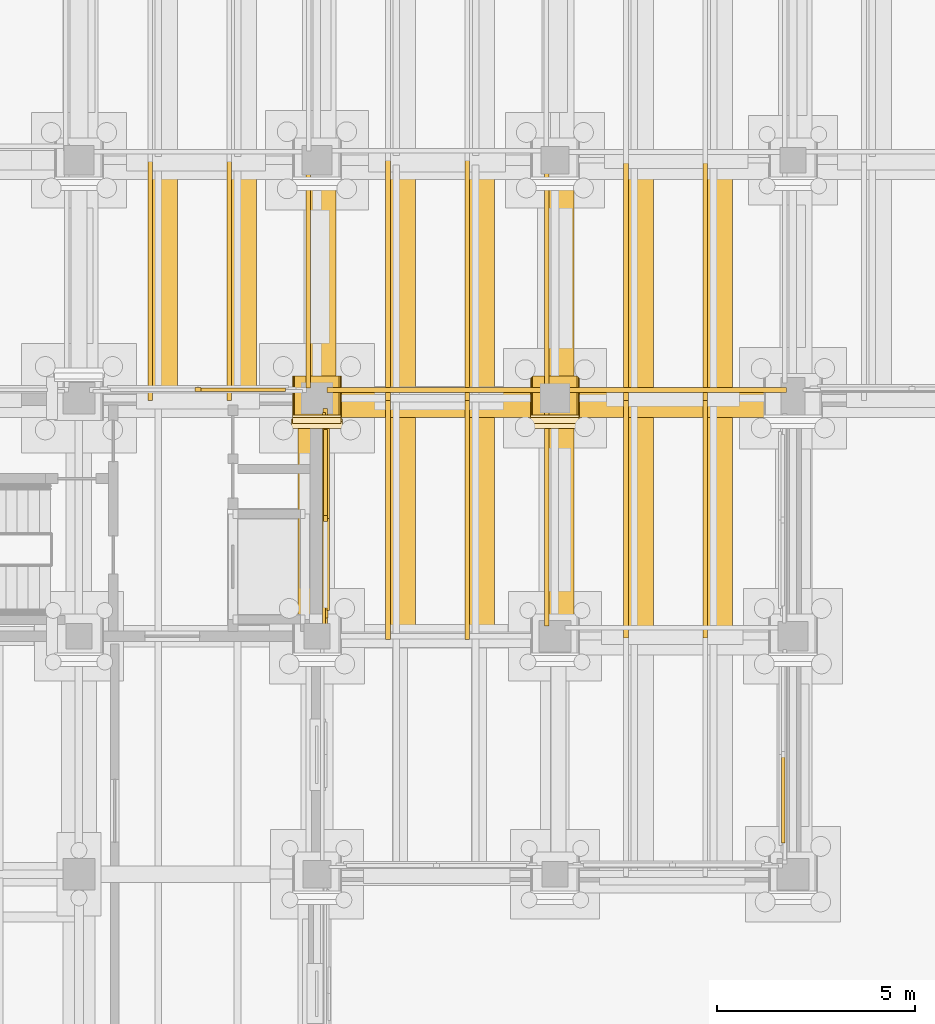
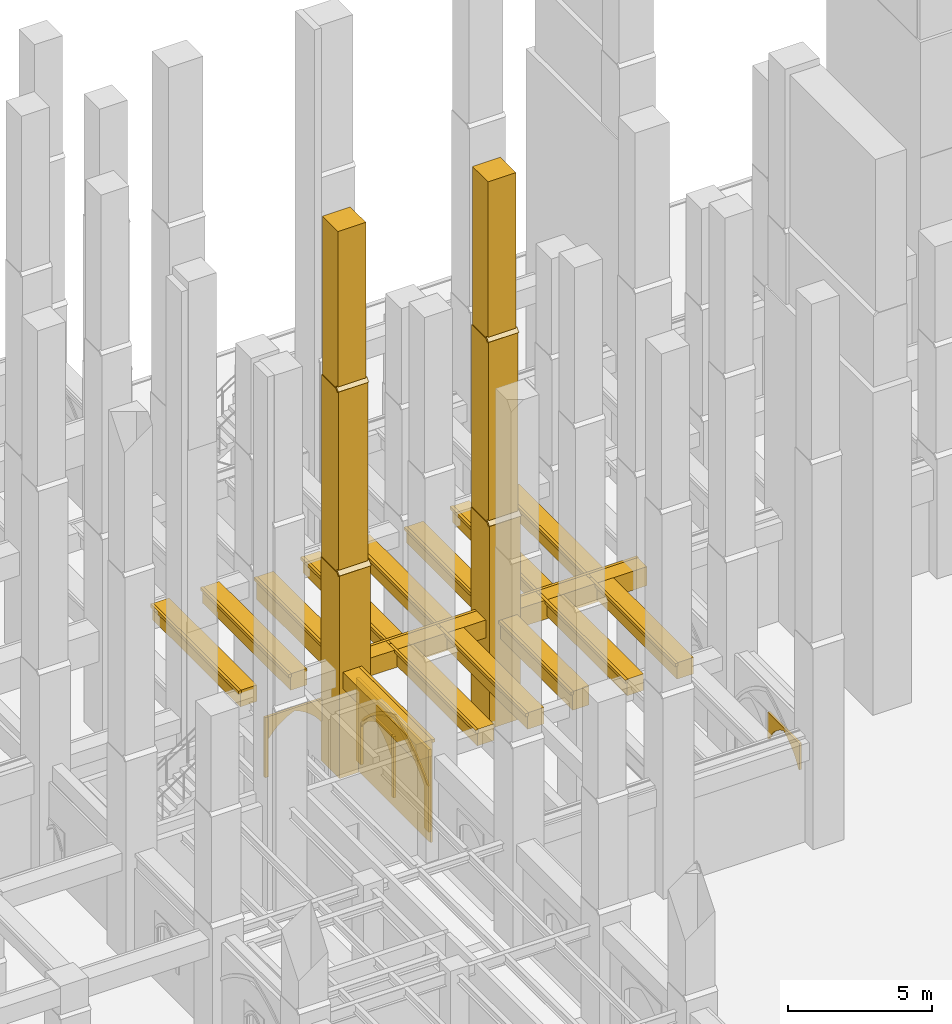
# One storey, part 109 of 135: 50 coverings.
"""IFC4 building model written with IfcOpenShell, lengths in metres."""

from ifc_helpers import new_model, si_unit, direction, frame, origin, origin_2d, place, context, subcontext, project, spatial, polyline, rectangle, outline, extrude, material, type_object, element, save


model = new_model("IFC4")

# Units and contexts
model_context = context("Model", 3, precision=1e-05, world=origin(), true_north=direction((0.0, 1.0)))
body_context = subcontext(model_context, "Body", "Model", "MODEL_VIEW")
ifc_project = project(units=[si_unit("LENGTHUNIT", "METRE"), si_unit("AREAUNIT", "SQUARE_METRE"), si_unit("VOLUMEUNIT", "CUBIC_METRE"), si_unit("PLANEANGLEUNIT", "RADIAN"), si_unit("MASSUNIT", "GRAM", prefix="KILO")], contexts=[model_context])

# Site, building, storey
site_placement = place(None, origin())
site = spatial("IfcSite", under=ifc_project, at=site_placement, CompositionType="ELEMENT")
building_placement = place(site_placement, origin())
building = spatial("IfcBuilding", under=site, at=building_placement, Name="Cumevento Cable Car Station", CompositionType="ELEMENT")
storey_placement = place(building_placement, origin())
storey = spatial("IfcBuildingStorey", under=building, at=storey_placement, Name="L01", CompositionType="ELEMENT", Elevation=0.0)

# Coverings
ifc_material = material(Name="Gnaisse Facoidal Stone Ashlar 85 MPa", Category="masonry")
covering_type = type_object("IfcCoveringType", Name="Gnaisse Ashlar Cladding CV-CL01", PredefinedType="CLADDING", material=ifc_material)
covering_1_placement = place(storey_placement, frame((70.0, 44.909912109375, -0.06005859375), z_axis=(0.0, 0.0, 1.0), x_axis=(1.0, 0.0, 0.0)))
element("IfcCovering", 1, at=covering_1_placement, inside=storey, type_object=covering_type, Name="Stepped Gothic Stone Buttress Tier 1 bt:70.0:45.0", PredefinedType="CLADDING", context=body_context, shape_type="SweptSolid", body=[
    extrude(rectangle(XDim=1.239990234375, YDim=1.300048828125, at=origin_2d()), origin(), (0.0, 0.0, 1.0), 8.595703125),
])
covering_2_placement = place(storey_placement, frame((69.360107421875, 44.239990234375, 8.515625), z_axis=(0.0, -0.711135781079, 0.703054692658), x_axis=(1.0, 0.0, 0.0)))
element("IfcCovering", 2, at=covering_2_placement, inside=storey, type_object=covering_type, Name="Gothic Buttress Sloped Stone Weathering 1 bt:70.0:45.0", PredefinedType="CLADDING", context=body_context, shape_type="SweptSolid", body=[
    extrude(outline(polyline([(0.0, 0.0), (1.27978515625, 0.0), (1.27978515625, 0.24169083397703695), (0.0, 0.24169083397703695), (0.0, 0.0)])), origin(), (0.0, 0.0, -1.0), 0.090087890625),
])
covering_3_placement = place(storey_placement, frame((70.0, 44.969970703125, 8.0830078125), z_axis=(0.0, 0.0, 1.0), x_axis=(1.0, 0.0, 0.0)))
element("IfcCovering", 3, at=covering_3_placement, inside=storey, type_object=covering_type, Name="Stepped Gothic Stone Buttress Tier 2 bt:70.0:45.0", PredefinedType="CLADDING", context=body_context, shape_type="SweptSolid", body=[
    extrude(rectangle(XDim=1.179931640625, YDim=1.179931640625, at=origin_2d()), origin(), (0.0, 0.0, 1.0), 8.143310546875),
])
covering_4_placement = place(storey_placement, frame((69.389892578125, 44.360107421875, 16.206298828125), z_axis=(0.0, -0.714474823669, 0.699661151089), x_axis=(1.0, 0.0, 0.0)))
element("IfcCovering", 4, at=covering_4_placement, inside=storey, type_object=covering_type, Name="Gothic Buttress Sloped Stone Weathering 2 bt:70.0:45.0", PredefinedType="CLADDING", context=body_context, shape_type="SweptSolid", body=[
    extrude(outline(polyline([(0.0, 0.0), (1.22021484375, 0.0), (1.22021484375, 0.21424991728737655), (0.0, 0.21424991728737655), (0.0, 0.0)])), origin(), (0.0, 0.0, -1.0), 0.090087890625),
])
covering_5_placement = place(storey_placement, frame((70.0, 45.02001953125, 15.77392578125), z_axis=(0.0, 0.0, 1.0), x_axis=(1.0, 0.0, 0.0)))
element("IfcCovering", 5, at=covering_5_placement, inside=storey, type_object=covering_type, Name="Stepped Gothic Stone Buttress Tier 3 bt:70.0:45.0", PredefinedType="CLADDING", context=body_context, shape_type="SweptSolid", body=[
    extrude(rectangle(XDim=1.1201171875, YDim=1.080078125, at=origin_2d()), origin(), (0.0, 0.0, 1.0), 7.1259765625),
])
covering_6_placement = place(storey_placement, frame((76.0, 44.909912109375, -0.06005859375), z_axis=(0.0, 0.0, 1.0), x_axis=(1.0, 0.0, 0.0)))
element("IfcCovering", 6, at=covering_6_placement, inside=storey, type_object=covering_type, Name="Stepped Gothic Stone Buttress Tier 1 bt:76.0:45.0", PredefinedType="CLADDING", context=body_context, shape_type="SweptSolid", body=[
    extrude(rectangle(XDim=1.239990234375, YDim=1.300048828125, at=origin_2d()), origin(), (0.0, 0.0, 1.0), 8.595703125),
])
covering_7_placement = place(storey_placement, frame((75.360107421875, 44.239990234375, 8.515625), z_axis=(0.0, -0.711135781079, 0.703054692658), x_axis=(1.0, 0.0, 0.0)))
element("IfcCovering", 7, at=covering_7_placement, inside=storey, type_object=covering_type, Name="Gothic Buttress Sloped Stone Weathering 1 bt:76.0:45.0", PredefinedType="CLADDING", context=body_context, shape_type="SweptSolid", body=[
    extrude(outline(polyline([(0.0, 0.0), (1.27978515625, 0.0), (1.27978515625, 0.24169083397703695), (0.0, 0.24169083397703695), (0.0, 0.0)])), origin(), (0.0, 0.0, -1.0), 0.090087890625),
])
covering_8_placement = place(storey_placement, frame((76.0, 44.969970703125, 8.0830078125), z_axis=(0.0, 0.0, 1.0), x_axis=(1.0, 0.0, 0.0)))
element("IfcCovering", 8, at=covering_8_placement, inside=storey, type_object=covering_type, Name="Stepped Gothic Stone Buttress Tier 2 bt:76.0:45.0", PredefinedType="CLADDING", context=body_context, shape_type="SweptSolid", body=[
    extrude(rectangle(XDim=1.179931640625, YDim=1.179931640625, at=origin_2d()), origin(), (0.0, 0.0, 1.0), 8.143310546875),
])
covering_9_placement = place(storey_placement, frame((75.389892578125, 44.360107421875, 16.206298828125), z_axis=(0.0, -0.714474823669, 0.699661151089), x_axis=(1.0, 0.0, 0.0)))
element("IfcCovering", 9, at=covering_9_placement, inside=storey, type_object=covering_type, Name="Gothic Buttress Sloped Stone Weathering 2 bt:76.0:45.0", PredefinedType="CLADDING", context=body_context, shape_type="SweptSolid", body=[
    extrude(outline(polyline([(0.0, 0.0), (1.22021484375, 0.0), (1.22021484375, 0.21424991728737655), (0.0, 0.21424991728737655), (0.0, 0.0)])), origin(), (0.0, 0.0, -1.0), 0.090087890625),
])
covering_10_placement = place(storey_placement, frame((76.0, 45.02001953125, 15.77392578125), z_axis=(0.0, 0.0, 1.0), x_axis=(1.0, 0.0, 0.0)))
element("IfcCovering", 10, at=covering_10_placement, inside=storey, type_object=covering_type, Name="Stepped Gothic Stone Buttress Tier 3 bt:76.0:45.0", PredefinedType="CLADDING", context=body_context, shape_type="SweptSolid", body=[
    extrude(rectangle(XDim=1.1201171875, YDim=1.080078125, at=origin_2d()), origin(), (0.0, 0.0, 1.0), 7.1259765625),
])
covering_11_placement = place(storey_placement, frame((69.851318359375, 41.96240234375, 3.69580078125), z_axis=(0.0, 0.0, 1.0), x_axis=(0.0, -1.0, 0.0)))
element("IfcCovering", 11, at=covering_11_placement, inside=storey, type_object=covering_type, Name="Gothic Stone Spandrel Stringcourse sc:0043", PredefinedType="CLADDING", context=body_context, shape_type="SweptSolid", body=[
    extrude(rectangle(XDim=5.514892578125, YDim=0.66259765625, at=origin_2d()), origin(), (0.0, 0.0, 1.0), 0.694091796875),
])
covering_12_placement = place(storey_placement, frame((70.2099609375, 41.96240234375, 4.260009765625), z_axis=(0.0, 0.0, 1.0), x_axis=(0.0, -1.0, 0.0)))
element("IfcCovering", 12, at=covering_12_placement, inside=storey, type_object=covering_type, Name="Gothic Cornice Dripstone Lip sc:0043", PredefinedType="CLADDING", context=body_context, shape_type="SweptSolid", body=[
    extrude(rectangle(XDim=5.554931640625, YDim=0.114990234375, at=origin_2d()), origin(), (0.0, 0.0, 1.0), 0.1298828125),
])
covering_13_placement = place(storey_placement, frame((73.012451171875, 44.85009765625, 3.636962890625), z_axis=(0.0, 0.0, 1.0), x_axis=(1.0, 0.0, 0.0)))
element("IfcCovering", 13, at=covering_13_placement, inside=storey, type_object=covering_type, Name="Gothic Stone Spandrel Stringcourse sc:0048", PredefinedType="CLADDING", context=body_context, shape_type="SweptSolid", body=[
    extrude(rectangle(XDim=5.465087890625, YDim=0.659912109375, at=origin_2d()), origin(), (0.0, 0.0, 1.0), 0.7529296875),
])
covering_14_placement = place(storey_placement, frame((73.012451171875, 45.20751953125, 4.260009765625), z_axis=(0.0, 0.0, 1.0), x_axis=(1.0, 0.0, 0.0)))
element("IfcCovering", 14, at=covering_14_placement, inside=storey, type_object=covering_type, Name="Gothic Cornice Dripstone Lip sc:0048", PredefinedType="CLADDING", context=body_context, shape_type="SweptSolid", body=[
    extrude(rectangle(XDim=5.5048828125, YDim=0.114990234375, at=origin_2d()), origin(), (0.0, 0.0, 1.0), 0.1298828125),
])
covering_15_placement = place(storey_placement, frame((79.03759765625, 44.85009765625, 3.5869140625), z_axis=(0.0, 0.0, 1.0), x_axis=(1.0, 0.0, 0.0)))
element("IfcCovering", 15, at=covering_15_placement, inside=storey, type_object=covering_type, Name="Gothic Stone Spandrel Stringcourse sc:0049", PredefinedType="CLADDING", context=body_context, shape_type="SweptSolid", body=[
    extrude(rectangle(XDim=5.56494140625, YDim=0.659912109375, at=origin_2d()), origin(), (0.0, 0.0, 1.0), 0.802978515625),
])
covering_16_placement = place(storey_placement, frame((79.03759765625, 45.20751953125, 4.260009765625), z_axis=(0.0, 0.0, 1.0), x_axis=(1.0, 0.0, 0.0)))
element("IfcCovering", 16, at=covering_16_placement, inside=storey, type_object=covering_type, Name="Gothic Cornice Dripstone Lip sc:0049", PredefinedType="CLADDING", context=body_context, shape_type="SweptSolid", body=[
    extrude(rectangle(XDim=5.60498046875, YDim=0.114990234375, at=origin_2d()), origin(), (0.0, 0.0, 1.0), 0.1298828125),
])
covering_17_placement = place(storey_placement, frame((76.14990234375, 42.012451171875, 3.5927734375), z_axis=(0.0, 0.0, 1.0), x_axis=(0.0, 1.0, 0.0)))
element("IfcCovering", 17, at=covering_17_placement, inside=storey, type_object=covering_type, Name="Gothic Stone Spandrel Stringcourse sc:0051", PredefinedType="CLADDING", context=body_context, shape_type="SweptSolid", body=[
    extrude(rectangle(XDim=5.465087890625, YDim=0.659912109375, at=origin_2d()), origin(), (0.0, 0.0, 1.0), 0.797119140625),
])
covering_18_placement = place(storey_placement, frame((75.79248046875, 42.012451171875, 4.260009765625), z_axis=(0.0, 0.0, 1.0), x_axis=(0.0, 1.0, 0.0)))
element("IfcCovering", 18, at=covering_18_placement, inside=storey, type_object=covering_type, Name="Gothic Cornice Dripstone Lip sc:0051", PredefinedType="CLADDING", context=body_context, shape_type="SweptSolid", body=[
    extrude(rectangle(XDim=5.5048828125, YDim=0.114990234375, at=origin_2d()), origin(), (0.0, 0.0, 1.0), 0.1298828125),
])
covering_19_placement = place(storey_placement, frame((70.14306640625, 48.012451171875, 3.44189453125), z_axis=(0.0, 0.0, 1.0), x_axis=(0.0, 1.0, 0.0)))
element("IfcCovering", 19, at=covering_19_placement, inside=storey, type_object=covering_type, Name="Gothic Stone Spandrel Stringcourse sc:0127", PredefinedType="CLADDING", context=body_context, shape_type="SweptSolid", body=[
    extrude(rectangle(XDim=5.465087890625, YDim=0.674072265625, at=origin_2d()), origin(), (0.0, 0.0, 1.0), 0.947998046875),
])
covering_20_placement = place(storey_placement, frame((69.778564453125, 48.012451171875, 4.260009765625), z_axis=(0.0, 0.0, 1.0), x_axis=(0.0, 1.0, 0.0)))
element("IfcCovering", 20, at=covering_20_placement, inside=storey, type_object=covering_type, Name="Gothic Cornice Dripstone Lip sc:0127", PredefinedType="CLADDING", context=body_context, shape_type="SweptSolid", body=[
    extrude(rectangle(XDim=5.5048828125, YDim=0.114990234375, at=origin_2d()), origin(), (0.0, 0.0, 1.0), 0.1298828125),
])
covering_21_placement = place(storey_placement, frame((76.148681640625, 48.012451171875, 3.69580078125), z_axis=(0.0, 0.0, 1.0), x_axis=(0.0, 1.0, 0.0)))
element("IfcCovering", 21, at=covering_21_placement, inside=storey, type_object=covering_type, Name="Gothic Stone Spandrel Stringcourse sc:0129", PredefinedType="CLADDING", context=body_context, shape_type="SweptSolid", body=[
    extrude(rectangle(XDim=5.514892578125, YDim=0.66259765625, at=origin_2d()), origin(), (0.0, 0.0, 1.0), 0.694091796875),
])
covering_22_placement = place(storey_placement, frame((75.7900390625, 48.012451171875, 4.260009765625), z_axis=(0.0, 0.0, 1.0), x_axis=(0.0, 1.0, 0.0)))
element("IfcCovering", 22, at=covering_22_placement, inside=storey, type_object=covering_type, Name="Gothic Cornice Dripstone Lip sc:0129", PredefinedType="CLADDING", context=body_context, shape_type="SweptSolid", body=[
    extrude(rectangle(XDim=5.554931640625, YDim=0.114990234375, at=origin_2d()), origin(), (0.0, 0.0, 1.0), 0.1298828125),
])
covering_23_placement = place(storey_placement, frame((72.14990234375, 41.991943359375, 3.69482421875), z_axis=(0.0, 0.0, 1.0), x_axis=(0.0, 1.0, 0.0)))
element("IfcCovering", 23, at=covering_23_placement, inside=storey, type_object=covering_type, Name="Gothic Stone Spandrel Stringcourse sc:0243", PredefinedType="CLADDING", context=body_context, shape_type="SweptSolid", body=[
    extrude(rectangle(XDim=6.10009765625, YDim=0.659912109375, at=origin_2d()), origin(), (0.0, 0.0, 1.0), 0.695068359375),
])
covering_24_placement = place(storey_placement, frame((71.79248046875, 41.991943359375, 4.260009765625), z_axis=(0.0, 0.0, 1.0), x_axis=(0.0, 1.0, 0.0)))
element("IfcCovering", 24, at=covering_24_placement, inside=storey, type_object=covering_type, Name="Gothic Cornice Dripstone Lip sc:0243", PredefinedType="CLADDING", context=body_context, shape_type="SweptSolid", body=[
    extrude(rectangle(XDim=6.139892578125, YDim=0.114990234375, at=origin_2d()), origin(), (0.0, 0.0, 1.0), 0.1298828125),
])
covering_25_placement = place(storey_placement, frame((74.14990234375, 41.991943359375, 3.69482421875), z_axis=(0.0, 0.0, 1.0), x_axis=(0.0, 1.0, 0.0)))
element("IfcCovering", 25, at=covering_25_placement, inside=storey, type_object=covering_type, Name="Gothic Stone Spandrel Stringcourse sc:0245", PredefinedType="CLADDING", context=body_context, shape_type="SweptSolid", body=[
    extrude(rectangle(XDim=6.10009765625, YDim=0.659912109375, at=origin_2d()), origin(), (0.0, 0.0, 1.0), 0.695068359375),
])
covering_26_placement = place(storey_placement, frame((73.79248046875, 41.991943359375, 4.260009765625), z_axis=(0.0, 0.0, 1.0), x_axis=(0.0, 1.0, 0.0)))
element("IfcCovering", 26, at=covering_26_placement, inside=storey, type_object=covering_type, Name="Gothic Cornice Dripstone Lip sc:0245", PredefinedType="CLADDING", context=body_context, shape_type="SweptSolid", body=[
    extrude(rectangle(XDim=6.139892578125, YDim=0.114990234375, at=origin_2d()), origin(), (0.0, 0.0, 1.0), 0.1298828125),
])
covering_27_placement = place(storey_placement, frame((78.14990234375, 42.002685546875, 3.69482421875), z_axis=(0.0, 0.0, 1.0), x_axis=(0.0, 1.0, 0.0)))
element("IfcCovering", 27, at=covering_27_placement, inside=storey, type_object=covering_type, Name="Gothic Stone Spandrel Stringcourse sc:0247", PredefinedType="CLADDING", context=body_context, shape_type="SweptSolid", body=[
    extrude(rectangle(XDim=6.06640625, YDim=0.659912109375, at=origin_2d()), origin(), (0.0, 0.0, 1.0), 0.695068359375),
])
covering_28_placement = place(storey_placement, frame((77.79248046875, 42.002685546875, 4.260009765625), z_axis=(0.0, 0.0, 1.0), x_axis=(0.0, 1.0, 0.0)))
element("IfcCovering", 28, at=covering_28_placement, inside=storey, type_object=covering_type, Name="Gothic Cornice Dripstone Lip sc:0247", PredefinedType="CLADDING", context=body_context, shape_type="SweptSolid", body=[
    extrude(rectangle(XDim=6.1064453125, YDim=0.114990234375, at=origin_2d()), origin(), (0.0, 0.0, 1.0), 0.1298828125),
])
covering_29_placement = place(storey_placement, frame((80.14990234375, 42.002685546875, 3.69482421875), z_axis=(0.0, 0.0, 1.0), x_axis=(0.0, 1.0, 0.0)))
element("IfcCovering", 29, at=covering_29_placement, inside=storey, type_object=covering_type, Name="Gothic Stone Spandrel Stringcourse sc:0249", PredefinedType="CLADDING", context=body_context, shape_type="SweptSolid", body=[
    extrude(rectangle(XDim=6.06640625, YDim=0.659912109375, at=origin_2d()), origin(), (0.0, 0.0, 1.0), 0.695068359375),
])
covering_30_placement = place(storey_placement, frame((79.79248046875, 42.002685546875, 4.260009765625), z_axis=(0.0, 0.0, 1.0), x_axis=(0.0, 1.0, 0.0)))
element("IfcCovering", 30, at=covering_30_placement, inside=storey, type_object=covering_type, Name="Gothic Cornice Dripstone Lip sc:0249", PredefinedType="CLADDING", context=body_context, shape_type="SweptSolid", body=[
    extrude(rectangle(XDim=6.1064453125, YDim=0.114990234375, at=origin_2d()), origin(), (0.0, 0.0, 1.0), 0.1298828125),
])
covering_31_placement = place(storey_placement, frame((66.14990234375, 47.99365234375, 3.794921875), z_axis=(0.0, 0.0, 1.0), x_axis=(0.0, 1.0, 0.0)))
element("IfcCovering", 31, at=covering_31_placement, inside=storey, type_object=covering_type, Name="Gothic Stone Spandrel Stringcourse sc:0258", PredefinedType="CLADDING", context=body_context, shape_type="SweptSolid", body=[
    extrude(rectangle(XDim=6.071533203125, YDim=0.659912109375, at=origin_2d()), origin(), (0.0, 0.0, 1.0), 0.695068359375),
])
covering_32_placement = place(storey_placement, frame((65.79248046875, 47.99365234375, 4.360107421875), z_axis=(0.0, 0.0, 1.0), x_axis=(0.0, 1.0, 0.0)))
element("IfcCovering", 32, at=covering_32_placement, inside=storey, type_object=covering_type, Name="Gothic Cornice Dripstone Lip sc:0258", PredefinedType="CLADDING", context=body_context, shape_type="SweptSolid", body=[
    extrude(rectangle(XDim=6.111572265625, YDim=0.114990234375, at=origin_2d()), origin(), (0.0, 0.0, 1.0), 0.1298828125),
])
covering_33_placement = place(storey_placement, frame((68.14990234375, 47.99365234375, 3.794921875), z_axis=(0.0, 0.0, 1.0), x_axis=(0.0, 1.0, 0.0)))
element("IfcCovering", 33, at=covering_33_placement, inside=storey, type_object=covering_type, Name="Gothic Stone Spandrel Stringcourse sc:0260", PredefinedType="CLADDING", context=body_context, shape_type="SweptSolid", body=[
    extrude(rectangle(XDim=6.071533203125, YDim=0.659912109375, at=origin_2d()), origin(), (0.0, 0.0, 1.0), 0.695068359375),
])
covering_34_placement = place(storey_placement, frame((67.79248046875, 47.99365234375, 4.360107421875), z_axis=(0.0, 0.0, 1.0), x_axis=(0.0, 1.0, 0.0)))
element("IfcCovering", 34, at=covering_34_placement, inside=storey, type_object=covering_type, Name="Gothic Cornice Dripstone Lip sc:0260", PredefinedType="CLADDING", context=body_context, shape_type="SweptSolid", body=[
    extrude(rectangle(XDim=6.111572265625, YDim=0.114990234375, at=origin_2d()), origin(), (0.0, 0.0, 1.0), 0.1298828125),
])
covering_35_placement = place(storey_placement, frame((72.14990234375, 47.9814453125, 3.69482421875), z_axis=(0.0, 0.0, 1.0), x_axis=(0.0, 1.0, 0.0)))
element("IfcCovering", 35, at=covering_35_placement, inside=storey, type_object=covering_type, Name="Gothic Stone Spandrel Stringcourse sc:0262", PredefinedType="CLADDING", context=body_context, shape_type="SweptSolid", body=[
    extrude(rectangle(XDim=6.047119140625, YDim=0.659912109375, at=origin_2d()), origin(), (0.0, 0.0, 1.0), 0.695068359375),
])
covering_36_placement = place(storey_placement, frame((71.79248046875, 47.9814453125, 4.260009765625), z_axis=(0.0, 0.0, 1.0), x_axis=(0.0, 1.0, 0.0)))
element("IfcCovering", 36, at=covering_36_placement, inside=storey, type_object=covering_type, Name="Gothic Cornice Dripstone Lip sc:0262", PredefinedType="CLADDING", context=body_context, shape_type="SweptSolid", body=[
    extrude(rectangle(XDim=6.0869140625, YDim=0.114990234375, at=origin_2d()), origin(), (0.0, 0.0, 1.0), 0.1298828125),
])
covering_37_placement = place(storey_placement, frame((74.14990234375, 47.9814453125, 3.69482421875), z_axis=(0.0, 0.0, 1.0), x_axis=(0.0, 1.0, 0.0)))
element("IfcCovering", 37, at=covering_37_placement, inside=storey, type_object=covering_type, Name="Gothic Stone Spandrel Stringcourse sc:0264", PredefinedType="CLADDING", context=body_context, shape_type="SweptSolid", body=[
    extrude(rectangle(XDim=6.047119140625, YDim=0.659912109375, at=origin_2d()), origin(), (0.0, 0.0, 1.0), 0.695068359375),
])
covering_38_placement = place(storey_placement, frame((73.79248046875, 47.9814453125, 4.260009765625), z_axis=(0.0, 0.0, 1.0), x_axis=(0.0, 1.0, 0.0)))
element("IfcCovering", 38, at=covering_38_placement, inside=storey, type_object=covering_type, Name="Gothic Cornice Dripstone Lip sc:0264", PredefinedType="CLADDING", context=body_context, shape_type="SweptSolid", body=[
    extrude(rectangle(XDim=6.0869140625, YDim=0.114990234375, at=origin_2d()), origin(), (0.0, 0.0, 1.0), 0.1298828125),
])
covering_39_placement = place(storey_placement, frame((78.14990234375, 48.010986328125, 3.69482421875), z_axis=(0.0, 0.0, 1.0), x_axis=(0.0, 1.0, 0.0)))
element("IfcCovering", 39, at=covering_39_placement, inside=storey, type_object=covering_type, Name="Gothic Stone Spandrel Stringcourse sc:0266", PredefinedType="CLADDING", context=body_context, shape_type="SweptSolid", body=[
    extrude(rectangle(XDim=6.093994140625, YDim=0.659912109375, at=origin_2d()), origin(), (0.0, 0.0, 1.0), 0.695068359375),
])
covering_40_placement = place(storey_placement, frame((77.79248046875, 48.010986328125, 4.260009765625), z_axis=(0.0, 0.0, 1.0), x_axis=(0.0, 1.0, 0.0)))
element("IfcCovering", 40, at=covering_40_placement, inside=storey, type_object=covering_type, Name="Gothic Cornice Dripstone Lip sc:0266", PredefinedType="CLADDING", context=body_context, shape_type="SweptSolid", body=[
    extrude(rectangle(XDim=6.134033203125, YDim=0.114990234375, at=origin_2d()), origin(), (0.0, 0.0, 1.0), 0.1298828125),
])
covering_41_placement = place(storey_placement, frame((80.14990234375, 48.010986328125, 3.69482421875), z_axis=(0.0, 0.0, 1.0), x_axis=(0.0, 1.0, 0.0)))
element("IfcCovering", 41, at=covering_41_placement, inside=storey, type_object=covering_type, Name="Gothic Stone Spandrel Stringcourse sc:0268", PredefinedType="CLADDING", context=body_context, shape_type="SweptSolid", body=[
    extrude(rectangle(XDim=6.093994140625, YDim=0.659912109375, at=origin_2d()), origin(), (0.0, 0.0, 1.0), 0.695068359375),
])
covering_42_placement = place(storey_placement, frame((79.79248046875, 48.010986328125, 4.260009765625), z_axis=(0.0, 0.0, 1.0), x_axis=(0.0, 1.0, 0.0)))
element("IfcCovering", 42, at=covering_42_placement, inside=storey, type_object=covering_type, Name="Gothic Cornice Dripstone Lip sc:0268", PredefinedType="CLADDING", context=body_context, shape_type="SweptSolid", body=[
    extrude(rectangle(XDim=6.134033203125, YDim=0.114990234375, at=origin_2d()), origin(), (0.0, 0.0, 1.0), 0.1298828125),
])
covering_43_placement = place(storey_placement, frame((82.0, 33.81005859375, 2.340087890625), z_axis=(0.0, 0.0, 1.0), x_axis=(0.0, 1.0, 0.0)))
element("IfcCovering", 43, at=covering_43_placement, inside=storey, type_object=covering_type, Name="Gothic Ogival Pointed-Arch Stone Spandrel blind_ogival:0003:sub:0", PredefinedType="CLADDING", context=body_context, shape_type="SweptSolid", body=[
    extrude(outline(polyline([(-0.02001953125, 0.0), (-0.02001953125, 1.115966796875), (2.177490234375, 1.115966796875), (2.177490234375, 0.0), (2.117431640625, 0.0), (1.997314453125, 0.213134765625), (1.85302734375, 0.410888671875), (1.6865234375, 0.59033203125), (1.500244140625, 0.7490234375), (1.296875, 0.884765625), (1.078857421875, 0.99609375), (0.860595703125, 0.884765625), (0.6572265625, 0.7490234375), (0.470947265625, 0.59033203125), (0.304443359375, 0.410888671875), (0.16015625, 0.213134765625), (0.0400390625, 0.0), (-0.02001953125, 0.0)])), frame((0.0, 0.2890625, 0.0), z_axis=(0.0, -1.0, 0.0), x_axis=(1.0, 0.0, 0.0)), (0.0, 0.0, 1.0), 0.090087890625),
])
covering_44_placement = place(storey_placement, frame((64.580078125, 45.0, 0.300048828125), z_axis=(0.0, 0.0, 1.0), x_axis=(1.0, 0.0, 0.0)))
element("IfcCovering", 44, at=covering_44_placement, inside=storey, type_object=covering_type, Name="Gothic Bifora Stone Colonnette blind_ogival:0137 #1", PredefinedType="CLADDING", context=body_context, shape_type="SweptSolid", body=[
    extrude(outline(polyline([(2.344970703125, -0.02001953125), (2.4951171875, -0.02001953125), (2.4951171875, 2.522705078125), (2.344970703125, 2.522705078125), (2.344970703125, -0.02001953125)])), frame((0.0, 0.265380859375, 0.0), z_axis=(0.0, -1.0, 0.0), x_axis=(1.0, 0.0, 0.0)), (0.0, 0.0, 1.0), 0.094970703125),
])
covering_45_placement = place(storey_placement, frame((67.044921875, 45.0, 1.890380859375), z_axis=(0.0, 0.0, 1.0), x_axis=(1.0, 0.0, 0.0)))
element("IfcCovering", 45, at=covering_45_placement, inside=storey, type_object=covering_type, Name="Gothic Ogival Pointed-Arch Stone Spandrel blind_ogival:0137:sub:1", PredefinedType="CLADDING", context=body_context, shape_type="SweptSolid", body=[
    extrude(outline(polyline([(-0.02001953125, 0.0), (-0.02001953125, 0.932373046875), (2.1650390625, 0.932373046875), (2.1650390625, 0.0), (2.10498046875, 0.0), (1.970703125, 0.17724609375), (1.819091796875, 0.339599609375), (1.651611328125, 0.48583984375), (1.469970703125, 0.6142578125), (1.2763671875, 0.723388671875), (1.072509765625, 0.812255859375), (0.86865234375, 0.723388671875), (0.675048828125, 0.6142578125), (0.493408203125, 0.48583984375), (0.325927734375, 0.339599609375), (0.17431640625, 0.17724609375), (0.0400390625, 0.0), (-0.02001953125, 0.0)])), frame((0.0, 0.261474609375, 0.0), z_axis=(0.0, -1.0, 0.0), x_axis=(1.0, 0.0, 0.0)), (0.0, 0.0, 1.0), 0.090087890625),
])
covering_46_placement = place(storey_placement, frame((70.0, 44.60009765625, 0.0), z_axis=(0.0, 0.0, 1.0), x_axis=(0.0, -1.0, 0.0)))
element("IfcCovering", 46, at=covering_46_placement, inside=storey, type_object=covering_type, Name="Exterior Gnaisse Stone Wall Ashlar #139", PredefinedType="CLADDING", context=body_context, shape_type="SweptSolid", body=[
    extrude(outline(polyline([(-0.0400390625, -0.02001953125), (5.31494140625, -0.02001953125), (5.31494140625, 3.77587890625), (-0.0400390625, 3.77587890625), (-0.0400390625, -0.02001953125)])), frame((0.0, 0.222412109375, 0.0), z_axis=(0.0, -1.0, 0.0), x_axis=(1.0, 0.0, 0.0)), (0.0, 0.0, 1.0), 0.0849609375),
])
placement = place(storey_placement, frame((70.0, 44.419921875, 0.300048828125), z_axis=(0.0, 0.0, 1.0), x_axis=(0.0, -1.0, 0.0)))
element("IfcCovering", 47, at=placement, inside=storey, type_object=covering_type, Name="Gothic Ogival Pointed-Arch Stone Spandrel blind_ogival:0139", PredefinedType="CLADDING", context=body_context, shape_type="SweptSolid", body=[
    extrude(outline(polyline([(-0.050048828125, 0.0), (-0.050048828125, 3.49609375), (4.965087890625, 3.49609375), (4.965087890625, 0.0), (4.655029296875, 0.0), (4.655029296875, 1.803466796875), (4.39501953125, 2.083984375), (4.114013671875, 2.343505859375), (3.813720703125, 2.580322265625), (3.495849609375, 2.793212890625), (3.16259765625, 2.98095703125), (2.81591796875, 3.14208984375), (2.45751953125, 3.276123046875), (2.09912109375, 3.14208984375), (1.75244140625, 2.98095703125), (1.419189453125, 2.793212890625), (1.101318359375, 2.580322265625), (0.801025390625, 2.343505859375), (0.52001953125, 2.083984375), (0.260009765625, 1.803466796875), (0.260009765625, 0.0), (-0.050048828125, 0.0)])), frame((0.0, 0.277587890625, 0.0), z_axis=(0.0, -1.0, 0.0), x_axis=(1.0, 0.0, 0.0)), (0.0, 0.0, 1.0), 0.110107421875),
])
covering_48_placement = place(storey_placement, frame((70.0, 44.419921875, 2.103515625), z_axis=(0.0, 0.0, 1.0), x_axis=(0.0, -1.0, 0.0)))
element("IfcCovering", 48, at=covering_48_placement, inside=storey, type_object=covering_type, Name="Gothic Pointed Archivolt Hood Moulding blind_ogival:0139", PredefinedType="CLADDING", context=body_context, shape_type="SweptSolid", body=[
    extrude(outline(polyline([(0.260009765625, 0.0), (0.52001953125, 0.280517578125), (0.801025390625, 0.5400390625), (1.101318359375, 0.77685546875), (1.419189453125, 0.98974609375), (1.75244140625, 1.177490234375), (2.09912109375, 1.338623046875), (2.45751953125, 1.47265625), (2.81591796875, 1.338623046875), (3.16259765625, 1.177490234375), (3.495849609375, 0.98974609375), (3.813720703125, 0.77685546875), (4.114013671875, 0.5400390625), (4.39501953125, 0.280517578125), (4.655029296875, 0.0), (4.77587890625, 0.0), (4.50634765625, 0.308349609375), (4.212646484375, 0.593994140625), (3.89697265625, 0.85498046875), (3.5615234375, 1.090087890625), (3.208251953125, 1.29736328125), (2.83935546875, 1.4755859375), (2.45751953125, 1.623779296875), (2.07568359375, 1.4755859375), (1.706787109375, 1.29736328125), (1.353515625, 1.090087890625), (1.01806640625, 0.85498046875), (0.702392578125, 0.593994140625), (0.40869140625, 0.308349609375), (0.138916015625, 0.0), (0.260009765625, 0.0)])), frame((0.0, 0.319580078125, 0.0), z_axis=(0.0, -1.0, 0.0), x_axis=(1.0, 0.0, 0.0)), (0.0, 0.0, 1.0), 0.06689453125),
])
element("IfcCovering", 49, at=placement, inside=storey, type_object=covering_type, Name="Gothic Bifora Stone Colonnette blind_ogival:0139 #1", PredefinedType="CLADDING", context=body_context, shape_type="SweptSolid", body=[
    extrude(outline(polyline([(2.382568359375, -0.02001953125), (2.532470703125, -0.02001953125), (2.532470703125, 2.569091796875), (2.382568359375, 2.569091796875), (2.382568359375, -0.02001953125)])), frame((0.0, 0.265380859375, 0.0), z_axis=(0.0, -1.0, 0.0), x_axis=(1.0, 0.0, 0.0)), (0.0, 0.0, 1.0), 0.094970703125),
])
covering_50_placement = place(storey_placement, frame((70.0, 44.18994140625, 1.92333984375), z_axis=(0.0, 0.0, 1.0), x_axis=(0.0, -1.0, 0.0)))
element("IfcCovering", 50, at=covering_50_placement, inside=storey, type_object=covering_type, Name="Gothic Ogival Pointed-Arch Stone Spandrel blind_ogival:0139:sub:0", PredefinedType="CLADDING", context=body_context, shape_type="SweptSolid", body=[
    extrude(outline(polyline([(-0.02001953125, 0.0), (-0.02001953125, 0.94580078125), (2.202392578125, 0.94580078125), (2.202392578125, 0.0), (2.142578125, 0.0), (2.005859375, 0.18017578125), (1.851318359375, 0.345458984375), (1.6806640625, 0.494140625), (1.495849609375, 0.62451171875), (1.298828125, 0.735595703125), (1.09130859375, 0.82568359375), (0.8837890625, 0.735595703125), (0.686767578125, 0.62451171875), (0.501953125, 0.494140625), (0.331298828125, 0.345458984375), (0.1767578125, 0.18017578125), (0.0400390625, 0.0), (-0.02001953125, 0.0)])), frame((0.0, 0.261474609375, 0.0), z_axis=(0.0, -1.0, 0.0), x_axis=(1.0, 0.0, 0.0)), (0.0, 0.0, 1.0), 0.090087890625),
])

save(model, "model.ifc")
